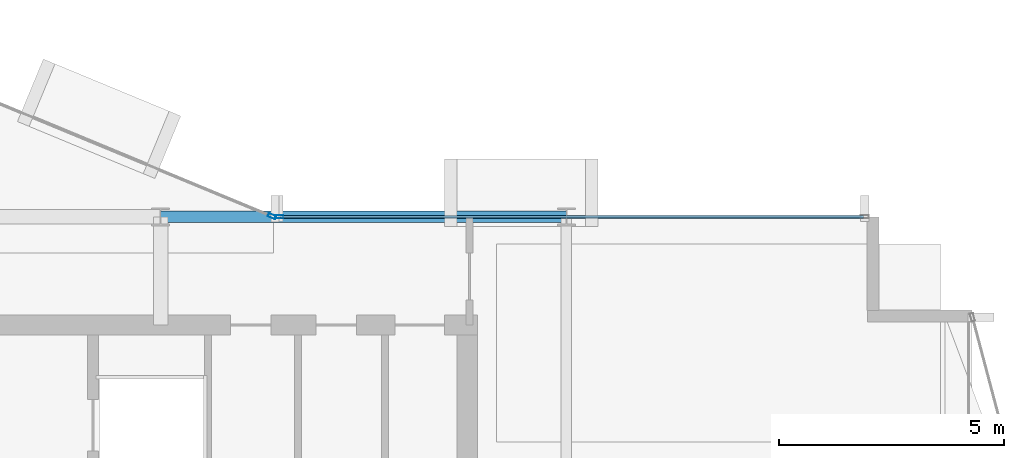
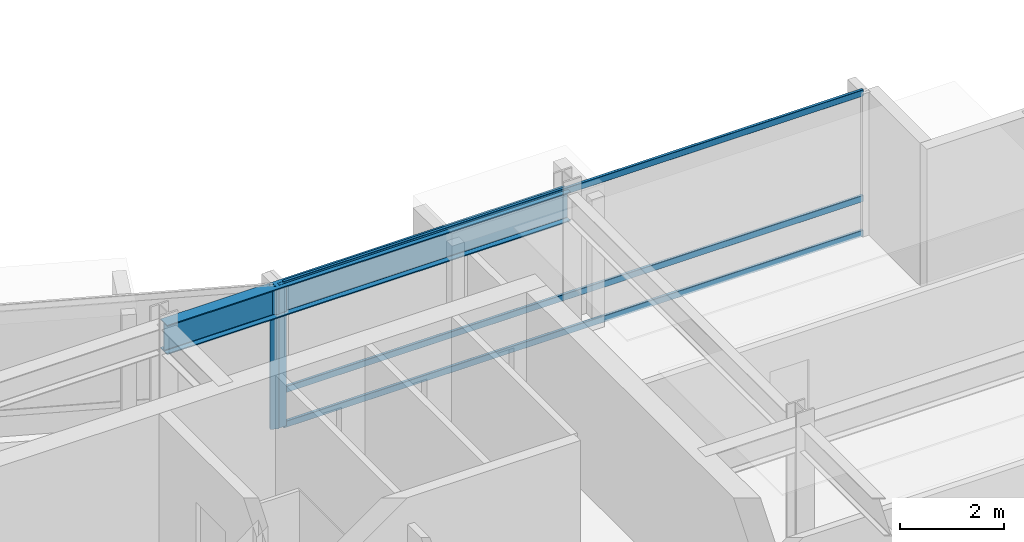
# One storey, part 13 of 27: 5 members, 1 beam, 2 elements without a shape of their own.
"""IFC4 building model written with IfcOpenShell, lengths in metres."""

from ifc_helpers import new_model, si_unit, direction, frame, origin, origin_2d, place, context, subcontext, project, spatial, hollow_rectangle, i_section, extrude, material, layer, layer_set, material_profile, profile_set, type_object, element, aggregate, save


model = new_model("IFC4")

# Units and contexts
model_context = context("Model", 3, precision=1e-05, world=origin(), true_north=direction((0.0, 1.0)))
body_context = subcontext(model_context, "Body", "Model", "MODEL_VIEW")
ifc_project = project(units=[si_unit("LENGTHUNIT", "METRE"), si_unit("AREAUNIT", "SQUARE_METRE"), si_unit("VOLUMEUNIT", "CUBIC_METRE"), si_unit("PLANEANGLEUNIT", "RADIAN"), si_unit("MASSUNIT", "GRAM", prefix="KILO")], contexts=[model_context])

# Site, building, storey
site_placement = place(None, origin())
site = spatial("IfcSite", under=ifc_project, at=site_placement, CompositionType="ELEMENT")
building_placement = place(site_placement, origin())
building = spatial("IfcBuilding", under=site, at=building_placement, Name="Solvaryn Broadcast Tower", CompositionType="ELEMENT")
storey_placement = place(building_placement, frame((0.0, 0.0, 232.10009765625)))
storey = spatial("IfcBuildingStorey", under=building, at=storey_placement, Name="L58", CompositionType="ELEMENT", Elevation=232.10009765625)

# Beam
ifc_material_1 = material(Name="Steel ASTM A992 Grade 50", Category="steel")
ifc_material_profile_1 = material_profile(ifc_material_1, i_section(OverallWidth=0.256103515625, OverallDepth=0.693115234375, WebThickness=0.014404296875, FlangeThickness=0.023681640625, FilletRadius=0.01611328125, at=origin_2d()))
ifc_profile_set_1 = profile_set([ifc_material_profile_1], Name="Steel ASTM A992 Grade 50")
beam_type = type_object("IfcBeamType", Name="BM-SP3-W27X114", PredefinedType="USERDEFINED", material=ifc_profile_set_1)
beam_placement = place(storey_placement, frame((36.0, 27.0, 3.0234375), z_axis=(1.0, 0.0, 0.0), x_axis=(0.0, 1.0, 0.0)))
element("IfcBeam", 1, at=beam_placement, inside=storey, type_object=beam_type, Name="L58 Spandrel Beam X (36-45 @ Y=27)", ObjectType="SPANDREL", PredefinedType="USERDEFINED", context=body_context, shape_type="SweptSolid", body=[
    extrude(i_section(OverallWidth=0.256103515625, OverallDepth=0.693115234375, WebThickness=0.014404296875, FlangeThickness=0.023681640625, FilletRadius=0.01611328125, at=origin_2d()), origin(), (0.0, 0.0, 1.0), 9.0),
])

# Curtain wall, member
ifc_material_2 = material(Name="Aluminium and Terracotta Unitised Curtain Wall", Category="masonry")
ifc_layer = layer(ifc_material_2, 0.199951171875)
ifc_layer_set = layer_set([ifc_layer], Name="CW-SYS2-LOWMID")
curtain_wall_type = type_object("IfcCurtainWallType", Name="CW-SYS2-LOWMID", PredefinedType="NOTDEFINED", material=ifc_layer_set)
curtain_wall_1_placement = place(storey_placement, origin())
curtain_wall_1 = element("IfcCurtainWall", 2, at=curtain_wall_1_placement, inside=storey, type_object=curtain_wall_type, Name="L58 Curtain Wall CN1", PredefinedType="NOTDEFINED")
ifc_material_3 = material(Name="Anodised Aluminium 6063-T6", Category="aluminium")
ifc_material_profile_2 = material_profile(ifc_material_3, hollow_rectangle(XDim=0.074951171875, YDim=0.179931640625, WallThickness=0.00390625, InnerFilletRadius=0.00390625, OuterFilletRadius=0.008056640625, at=origin_2d()))
ifc_profile_set_2 = profile_set([ifc_material_profile_2], Name="Anodised Aluminium 6063-T6")
member_type_1 = type_object("IfcMemberType", Name="CW-MUL-180", PredefinedType="MULLION", material=ifc_profile_set_2)
member_1_placement = place(storey_placement, frame((38.47216796875, 27.011474609375, 0.0), z_axis=(0.0, 0.0, 1.0), x_axis=(-0.382646127145, -0.923894983957, 0.0)))
member_1 = element("IfcMember", 3, at=member_1_placement, type_object=member_type_1, Name="CWS2 mullion 1", PredefinedType="MULLION", context=body_context, shape_type="SweptSolid", body=[
    extrude(hollow_rectangle(XDim=0.074951171875, YDim=0.179931640625, WallThickness=0.00390625, InnerFilletRadius=0.00390625, OuterFilletRadius=0.008056640625, at=origin_2d()), origin(), (0.0, 0.0, 1.0), 3.369873046875),
])
aggregate(curtain_wall_1, [member_1])

# Curtain wall, members
curtain_wall_2_placement = place(storey_placement, origin())
curtain_wall_2 = element("IfcCurtainWall", 4, at=curtain_wall_2_placement, inside=storey, type_object=curtain_wall_type, Name="L58 Curtain Wall IH", PredefinedType="NOTDEFINED")
member_2_placement = place(storey_placement, frame((38.6298828125, 27.0, 0.0), z_axis=(0.0, 0.0, 1.0), x_axis=(0.0, 1.0, 0.0)))
member_2 = element("IfcMember", 5, at=member_2_placement, type_object=member_type_1, Name="CWS2 mullion 1", PredefinedType="MULLION", context=body_context, shape_type="SweptSolid", body=[
    extrude(hollow_rectangle(XDim=0.074951171875, YDim=0.179931640625, WallThickness=0.00390625, InnerFilletRadius=0.00390625, OuterFilletRadius=0.008056640625, at=origin_2d()), origin(), (0.0, 0.0, 1.0), 3.369873046875),
])
ifc_material_4 = material(Name="Anodised Aluminium 6063-T6", Category="aluminium")
ifc_material_profile_3 = material_profile(ifc_material_4, hollow_rectangle(XDim=0.06494140625, YDim=0.14990234375, WallThickness=0.00390625, InnerFilletRadius=0.00390625, OuterFilletRadius=0.008056640625, at=origin_2d()))
ifc_profile_set_3 = profile_set([ifc_material_profile_3], Name="Anodised Aluminium 6063-T6")
member_type_2 = type_object("IfcMemberType", Name="CW-TRN-150", PredefinedType="USERDEFINED", material=ifc_profile_set_3)
member_3_placement = place(storey_placement, frame((38.659912109375, 27.0, 0.02978515625), z_axis=(1.0, 0.0, 0.0), x_axis=(0.0, 1.0, 0.0)))
member_3 = element("IfcMember", 6, at=member_3_placement, type_object=member_type_2, Name="CWS2 transom 1.1", ObjectType="TRANSOM", PredefinedType="USERDEFINED", context=body_context, shape_type="SweptSolid", body=[
    extrude(hollow_rectangle(XDim=0.06494140625, YDim=0.14990234375, WallThickness=0.00390625, InnerFilletRadius=0.00390625, OuterFilletRadius=0.008056640625, at=origin_2d()), origin(), (0.0, 0.0, 1.0), 12.93017578125),
])
member_4_placement = place(storey_placement, frame((38.659912109375, 27.0, 0.849853515625), z_axis=(1.0, 0.0, 0.0), x_axis=(0.0, 1.0, 0.0)))
member_4 = element("IfcMember", 7, at=member_4_placement, type_object=member_type_2, Name="CWS2 transom 1.2", ObjectType="TRANSOM", PredefinedType="USERDEFINED", context=body_context, shape_type="SweptSolid", body=[
    extrude(hollow_rectangle(XDim=0.06494140625, YDim=0.14990234375, WallThickness=0.00390625, InnerFilletRadius=0.00390625, OuterFilletRadius=0.008056640625, at=origin_2d()), origin(), (0.0, 0.0, 1.0), 12.93017578125),
])
member_5_placement = place(storey_placement, frame((38.659912109375, 27.0, 3.33984375), z_axis=(1.0, 0.0, 0.0), x_axis=(0.0, 1.0, 0.0)))
member_5 = element("IfcMember", 8, at=member_5_placement, type_object=member_type_2, Name="CWS2 transom 1.3", ObjectType="TRANSOM", PredefinedType="USERDEFINED", context=body_context, shape_type="SweptSolid", body=[
    extrude(hollow_rectangle(XDim=0.06494140625, YDim=0.14990234375, WallThickness=0.00390625, InnerFilletRadius=0.00390625, OuterFilletRadius=0.008056640625, at=origin_2d()), origin(), (0.0, 0.0, 1.0), 12.93017578125),
])
aggregate(curtain_wall_2, [member_2, member_3, member_4, member_5])

save(model, "model.ifc")
